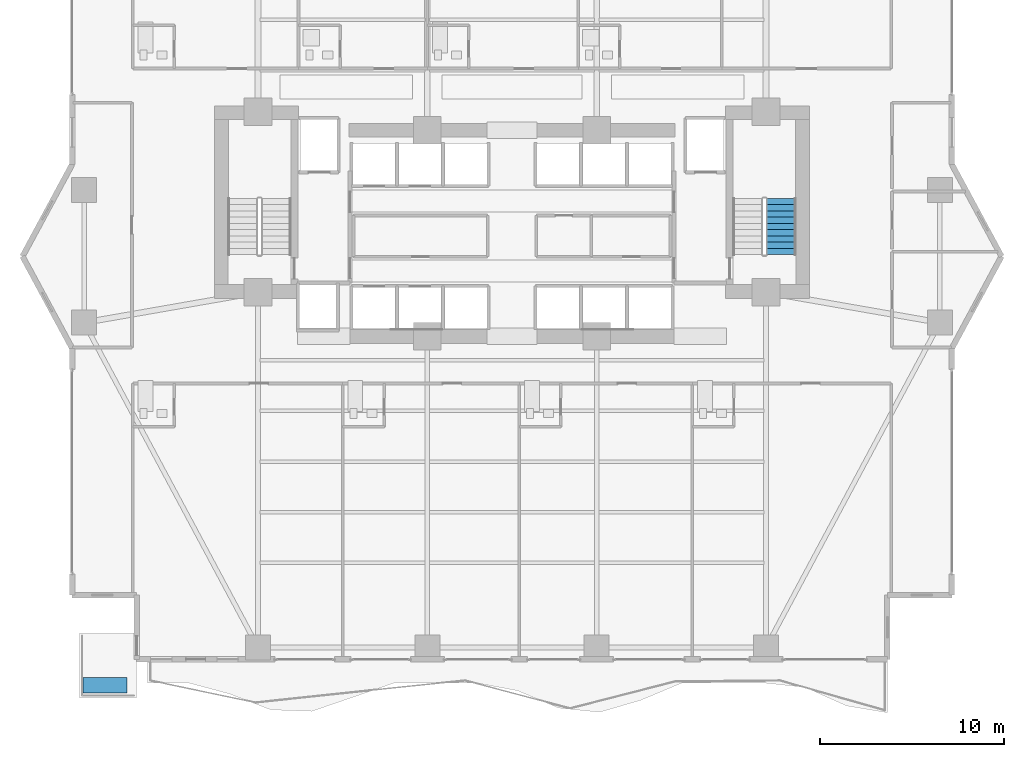
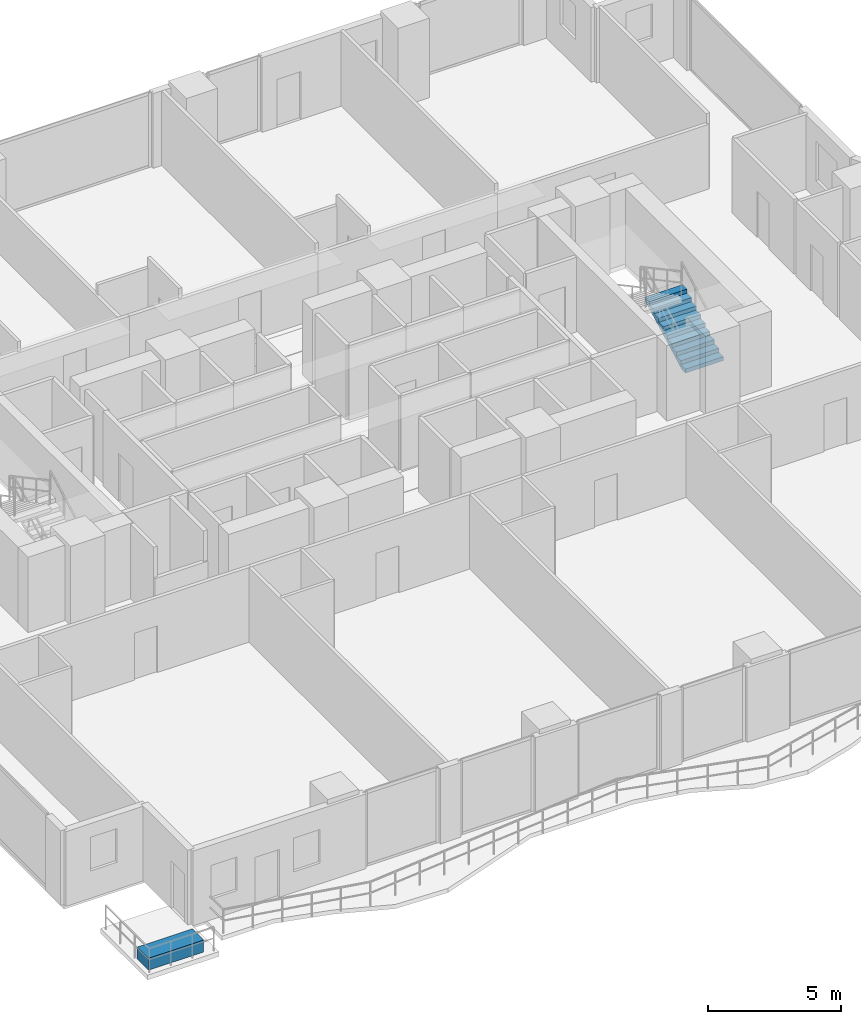
# One storey, part 24 of 28: 1 building element part, 1 stair flight, 1 element without a shape of its own.
"""IFC4 building model written with IfcOpenShell, lengths in metres."""

from ifc_helpers import new_model, si_unit, direction, frame, origin, origin_2d, place, context, subcontext, project, spatial, polyline, rectangle, outline, extrude, material, layer, layer_set, type_object, element, aggregate, save


model = new_model("IFC4")

# Units and contexts
model_context = context("Model", 3, precision=1e-05, world=origin(), true_north=direction((0.0, 1.0)))
body_context = subcontext(model_context, "Body", "Model", "MODEL_VIEW")
ifc_project = project(units=[si_unit("LENGTHUNIT", "METRE"), si_unit("AREAUNIT", "SQUARE_METRE"), si_unit("VOLUMEUNIT", "CUBIC_METRE"), si_unit("PLANEANGLEUNIT", "RADIAN"), si_unit("MASSUNIT", "GRAM", prefix="KILO")], contexts=[model_context])

# Site, building, storey
site_placement = place(None, origin())
site = spatial("IfcSite", under=ifc_project, at=site_placement, CompositionType="ELEMENT")
building_placement = place(site_placement, origin())
building = spatial("IfcBuilding", under=site, at=building_placement, Name="Zuhayl Quay Hotel", CompositionType="ELEMENT")
storey_placement = place(building_placement, frame((0.0, 0.0, 121.199951171875)))
storey = spatial("IfcBuildingStorey", under=building, at=storey_placement, Name="L30", CompositionType="ELEMENT", Elevation=121.199951171875)

# Stair, stair flight
ifc_material_1 = material(Name="Concrete C45/55", Category="concrete")
stair_type = type_object("IfcStairType", Name="ST_DOGLEG_TOWER", PredefinedType="HALF_TURN_STAIR", material=ifc_material_1)
stair_placement = place(storey_placement, origin())
stair = element("IfcStair", 1, at=stair_placement, inside=storey, type_object=stair_type, Name="L30 Smokeproof Exit Stair ST2", PredefinedType="HALF_TURN_STAIR")
ifc_layer_1 = layer(ifc_material_1, 0.159912109375, Name="Concrete C45/55", Category="concrete")
ifc_layer_set_1 = layer_set([ifc_layer_1], Name="Concrete C45/55")
stair_flight_type = type_object("IfcStairFlightType", Name="SF_CONC_164", PredefinedType="STRAIGHT", material=ifc_layer_set_1)
stair_flight_placement = place(storey_placement, frame((14.610107421875, 6.590087890625, 0.0), z_axis=(0.0, 0.0, 1.0), x_axis=(0.0, 1.0, 0.0)))
stair_flight = element("IfcStairFlight", 2, at=stair_flight_placement, type_object=stair_flight_type, Name="ST2 flight 1", NumberOfRisers=10, NumberOfTreads=9, PredefinedType="STRAIGHT", RiserHeight=0.1825, TreadLength=0.34, context=body_context, shape_type="SweptSolid", body=[
    extrude(outline(polyline([(0.0, 0.0), (0.0, 0.1826171875), (0.340087890625, 0.1826171875), (0.340087890625, 0.364990234375), (0.679931640625, 0.364990234375), (0.679931640625, 0.547607421875), (1.02001953125, 0.547607421875), (1.02001953125, 0.72998046875), (1.360107421875, 0.72998046875), (1.360107421875, 0.91259765625), (1.699951171875, 0.91259765625), (1.699951171875, 1.094970703125), (2.0400390625, 1.094970703125), (2.0400390625, 1.277587890625), (2.3798828125, 1.277587890625), (2.3798828125, 1.4599609375), (2.719970703125, 1.4599609375), (2.719970703125, 1.642578125), (3.06005859375, 1.642578125), (3.06005859375, 1.824951171875), (3.06005859375, 1.472412109375), (0.31689453125, 0.0), (0.0, 0.0)])), frame((0.0, 0.81982421875, 0.0), z_axis=(0.0, -1.0, 0.0), x_axis=(1.0, 0.0, 0.0)), (0.0, 0.0, 1.0), 1.639892578125),
])
aggregate(stair, [stair_flight])

# Building element part
ifc_material_2 = material(Name="Precast concrete C45/55", Category="concrete")
ifc_layer_2 = layer(ifc_material_2, 0.550048828125, Name="Precast concrete C45/55", Category="concrete")
ifc_layer_set_2 = layer_set([ifc_layer_2], Name="Precast concrete C45/55")
building_element_part_type = type_object("IfcBuildingElementPartType", Name="PT_PLANTER_KERB", PredefinedType="PRECASTPANEL", material=ifc_layer_set_2)
building_element_part_placement = place(storey_placement, frame((-22.110107421875, -16.81005859375, 0.0), z_axis=(0.0, 0.0, 1.0), x_axis=(1.0, 0.0, 0.0)))
element("IfcBuildingElementPart", 3, at=building_element_part_placement, inside=storey, type_object=building_element_part_type, Name="L30 Spiral Sky-Terrace Planter Box SW", PredefinedType="PRECASTPANEL", context=body_context, shape_type="SweptSolid", body=[
    extrude(rectangle(XDim=2.39990234375, YDim=0.85009765625, at=origin_2d()), origin(), (0.0, 0.0, 1.0), 0.550048828125),
])

save(model, "model.ifc")
